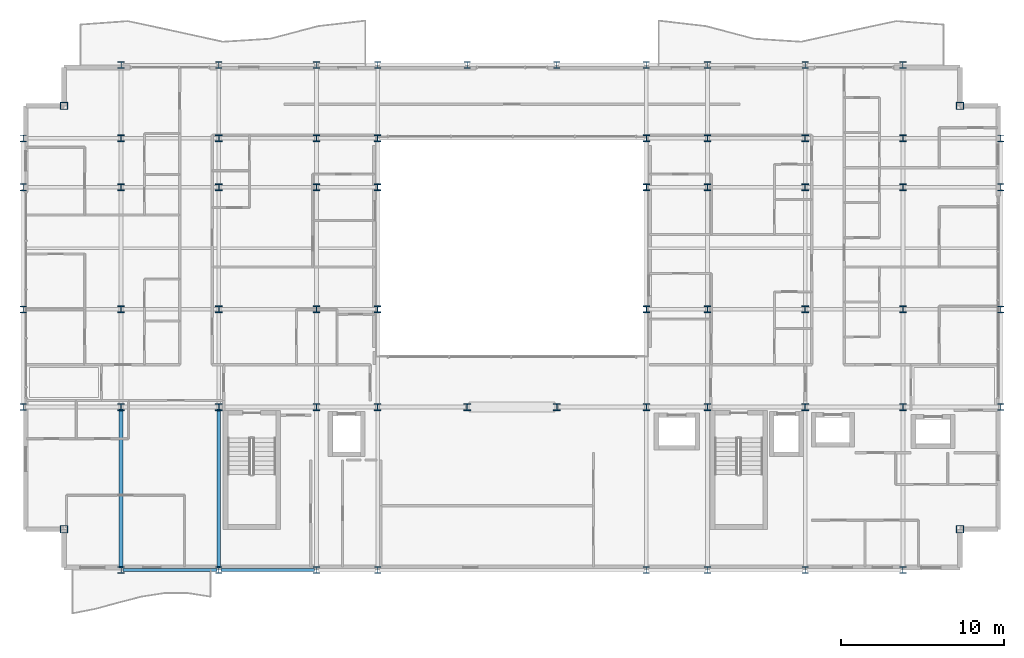
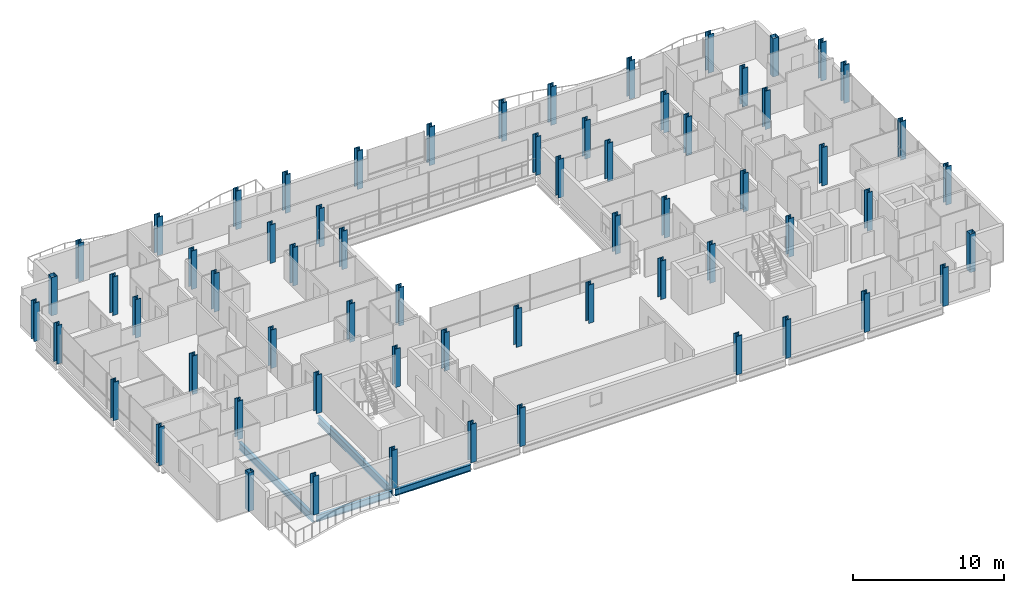
# One storey, part 1 of 40: 64 columns, 4 beams.
"""IFC4 building model written with IfcOpenShell, lengths in metres."""

from ifc_helpers import new_model, si_unit, direction, frame, origin, origin_2d, place, context, subcontext, project, spatial, hollow_rectangle, i_section, extrude, material, material_profile, profile_set, type_object, element, save


model = new_model("IFC4")

# Units and contexts
model_context = context("Model", 3, precision=1e-05, world=origin(), true_north=direction((0.0, 1.0)))
body_context = subcontext(model_context, "Body", "Model", "MODEL_VIEW")
ifc_project = project(units=[si_unit("LENGTHUNIT", "METRE"), si_unit("AREAUNIT", "SQUARE_METRE"), si_unit("VOLUMEUNIT", "CUBIC_METRE"), si_unit("PLANEANGLEUNIT", "RADIAN"), si_unit("MASSUNIT", "GRAM", prefix="KILO")], contexts=[model_context])

# Site, building, storey
site_placement = place(None, origin())
site = spatial("IfcSite", under=ifc_project, at=site_placement, CompositionType="ELEMENT")
building_placement = place(site_placement, origin())
building = spatial("IfcBuilding", under=site, at=building_placement, Name="Brevholm Reach", CompositionType="ELEMENT")
storey_placement = place(building_placement, frame((0.0, 0.0, 125.199951171875)))
storey = spatial("IfcBuildingStorey", under=building, at=storey_placement, Name="L37", CompositionType="ELEMENT", Elevation=125.199951171875)

# Columns
ifc_material_1 = material(Name="Structural Steel S460NH", Category="steel")
ifc_material_profile_1 = material_profile(ifc_material_1, hollow_rectangle(XDim=0.449951171875, YDim=0.449951171875, WallThickness=0.02490234375, InnerFilletRadius=0.011962890625, OuterFilletRadius=0.02392578125, at=origin_2d()), Name="SHS 450x450x25")
ifc_profile_set_1 = profile_set([ifc_material_profile_1], Name="Structural Steel S460NH")
column_type_1 = type_object("IfcColumnType", Name="COL-SHS1", PredefinedType="COLUMN", material=ifc_profile_set_1)
for number, where, z_axis, x_axis, name in (
    (1, (2.5, 2.5, 0.0), (0.0, 0.0, 1.0), (1.0, 0.0, 0.0), "L37 Column 05"),
    (2, (2.5, 28.5, 0.0), (0.0, 0.0, 1.0), (1.0, 0.0, 0.0), "L37 Column 06"),
    (3, (57.5, 2.5, 0.0), (0.0, 0.0, 1.0), (1.0, 0.0, 0.0), "L37 Column 59"),
    (4, (57.5, 28.5, 0.0), (0.0, 0.0, 1.0), (1.0, 0.0, 0.0), "L37 Column 60"),
):
    element("IfcColumn", number, at=place(storey_placement, frame(where, z_axis=z_axis, x_axis=x_axis)), inside=storey, type_object=column_type_1, Name=name, PredefinedType="COLUMN", context=body_context, shape_type="SweptSolid", body=[
        extrude(hollow_rectangle(XDim=0.449951171875, YDim=0.449951171875, WallThickness=0.02490234375, InnerFilletRadius=0.011962890625, OuterFilletRadius=0.02392578125, at=origin_2d()), origin(), (0.0, 0.0, 1.0), 3.10009765625),
    ])
ifc_material_2 = material(Name="Structural Steel S460ML", Category="steel")
ifc_material_profile_2 = material_profile(ifc_material_2, i_section(OverallWidth=0.412109375, OverallDepth=0.4365234375, WebThickness=0.035888671875, FlangeThickness=0.05810546875, FilletRadius=0.01513671875, at=origin_2d()), Name="UKC 356x406x467")
ifc_profile_set_2 = profile_set([ifc_material_profile_2], Name="Structural Steel S460ML")
column_type_2 = type_object("IfcColumnType", Name="COL-UC3", PredefinedType="COLUMN", material=ifc_profile_set_2)
for number, where, z_axis, x_axis, name in (
    (5, (0.0, 10.0, 0.0), (0.0, 0.0, 1.0), (1.0, 0.0, 0.0), "L37 Column 01"),
    (6, (0.0, 16.0, 0.0), (0.0, 0.0, 1.0), (1.0, 0.0, 0.0), "L37 Column 02"),
    (7, (0.0, 23.5, 0.0), (0.0, 0.0, 1.0), (1.0, 0.0, 0.0), "L37 Column 03"),
    (8, (0.0, 26.5, 0.0), (0.0, 0.0, 1.0), (1.0, 0.0, 0.0), "L37 Column 04"),
    (9, (6.0, 0.0, 0.0), (0.0, 0.0, 1.0), (1.0, 0.0, 0.0), "L37 Column 07"),
    (10, (6.0, 31.0, 0.0), (0.0, 0.0, 1.0), (1.0, 0.0, 0.0), "L37 Column 12"),
    (11, (12.0, 0.0, 0.0), (0.0, 0.0, 1.0), (1.0, 0.0, 0.0), "L37 Column 13"),
    (12, (12.0, 31.0, 0.0), (0.0, 0.0, 1.0), (1.0, 0.0, 0.0), "L37 Column 18"),
    (13, (18.0, 0.0, 0.0), (0.0, 0.0, 1.0), (1.0, 0.0, 0.0), "L37 Column 19"),
    (14, (18.0, 31.0, 0.0), (0.0, 0.0, 1.0), (1.0, 0.0, 0.0), "L37 Column 24"),
    (15, (21.75, 0.0, 0.0), (0.0, 0.0, 1.0), (1.0, 0.0, 0.0), "L37 Column 25"),
    (16, (21.75, 31.0, 0.0), (0.0, 0.0, 1.0), (1.0, 0.0, 0.0), "L37 Column 30"),
    (17, (27.25, 31.0, 0.0), (0.0, 0.0, 1.0), (1.0, 0.0, 0.0), "L37 Column 32"),
    (18, (32.75, 31.0, 0.0), (0.0, 0.0, 1.0), (1.0, 0.0, 0.0), "L37 Column 34"),
    (19, (38.25, 0.0, 0.0), (0.0, 0.0, 1.0), (1.0, 0.0, 0.0), "L37 Column 35"),
    (20, (38.25, 31.0, 0.0), (0.0, 0.0, 1.0), (1.0, 0.0, 0.0), "L37 Column 40"),
    (21, (42.0, 0.0, 0.0), (0.0, 0.0, 1.0), (1.0, 0.0, 0.0), "L37 Column 41"),
    (22, (42.0, 31.0, 0.0), (0.0, 0.0, 1.0), (1.0, 0.0, 0.0), "L37 Column 46"),
    (23, (48.0, 0.0, 0.0), (0.0, 0.0, 1.0), (1.0, 0.0, 0.0), "L37 Column 47"),
    (24, (48.0, 31.0, 0.0), (0.0, 0.0, 1.0), (1.0, 0.0, 0.0), "L37 Column 52"),
    (25, (54.0, 0.0, 0.0), (0.0, 0.0, 1.0), (1.0, 0.0, 0.0), "L37 Column 53"),
    (26, (54.0, 31.0, 0.0), (0.0, 0.0, 1.0), (1.0, 0.0, 0.0), "L37 Column 58"),
    (27, (60.0, 10.0, 0.0), (0.0, 0.0, 1.0), (1.0, 0.0, 0.0), "L37 Column 61"),
    (28, (60.0, 16.0, 0.0), (0.0, 0.0, 1.0), (1.0, 0.0, 0.0), "L37 Column 62"),
    (29, (60.0, 23.5, 0.0), (0.0, 0.0, 1.0), (1.0, 0.0, 0.0), "L37 Column 63"),
    (30, (60.0, 26.5, 0.0), (0.0, 0.0, 1.0), (1.0, 0.0, 0.0), "L37 Column 64"),
):
    element("IfcColumn", number, at=place(storey_placement, frame(where, z_axis=z_axis, x_axis=x_axis)), inside=storey, type_object=column_type_2, Name=name, PredefinedType="COLUMN", context=body_context, shape_type="SweptSolid", body=[
        extrude(i_section(OverallWidth=0.412109375, OverallDepth=0.4365234375, WebThickness=0.035888671875, FlangeThickness=0.05810546875, FilletRadius=0.01513671875, at=origin_2d()), origin(), (0.0, 0.0, 1.0), 3.10009765625),
    ])
ifc_material_3 = material(Name="Structural Steel S355J2", Category="steel")
ifc_material_profile_3 = material_profile(ifc_material_3, i_section(OverallWidth=0.406982421875, OverallDepth=0.4189453125, WebThickness=0.030517578125, FlangeThickness=0.04931640625, FilletRadius=0.01513671875, at=origin_2d()), Name="UKC 356x406x393")
ifc_profile_set_3 = profile_set([ifc_material_profile_3], Name="Structural Steel S355J2")
column_type_3 = type_object("IfcColumnType", Name="COL-UC4", PredefinedType="COLUMN", material=ifc_profile_set_3)
for number, where, z_axis, x_axis, name in (
    (31, (6.0, 10.0, 0.0), (0.0, 0.0, 1.0), (1.0, 0.0, 0.0), "L37 Column 08"),
    (32, (6.0, 16.0, 0.0), (0.0, 0.0, 1.0), (1.0, 0.0, 0.0), "L37 Column 09"),
    (33, (6.0, 23.5, 0.0), (0.0, 0.0, 1.0), (1.0, 0.0, 0.0), "L37 Column 10"),
    (34, (6.0, 26.5, 0.0), (0.0, 0.0, 1.0), (1.0, 0.0, 0.0), "L37 Column 11"),
    (35, (12.0, 10.0, 0.0), (0.0, 0.0, 1.0), (1.0, 0.0, 0.0), "L37 Column 14"),
    (36, (12.0, 16.0, 0.0), (0.0, 0.0, 1.0), (1.0, 0.0, 0.0), "L37 Column 15"),
    (37, (12.0, 23.5, 0.0), (0.0, 0.0, 1.0), (1.0, 0.0, 0.0), "L37 Column 16"),
    (38, (12.0, 26.5, 0.0), (0.0, 0.0, 1.0), (1.0, 0.0, 0.0), "L37 Column 17"),
    (39, (18.0, 10.0, 0.0), (0.0, 0.0, 1.0), (1.0, 0.0, 0.0), "L37 Column 20"),
    (40, (18.0, 16.0, 0.0), (0.0, 0.0, 1.0), (1.0, 0.0, 0.0), "L37 Column 21"),
    (41, (18.0, 23.5, 0.0), (0.0, 0.0, 1.0), (1.0, 0.0, 0.0), "L37 Column 22"),
    (42, (18.0, 26.5, 0.0), (0.0, 0.0, 1.0), (1.0, 0.0, 0.0), "L37 Column 23"),
    (43, (21.75, 10.0, 0.0), (0.0, 0.0, 1.0), (1.0, 0.0, 0.0), "L37 Column 26"),
    (44, (21.75, 16.0, 0.0), (0.0, 0.0, 1.0), (1.0, 0.0, 0.0), "L37 Column 27"),
    (45, (21.75, 23.5, 0.0), (0.0, 0.0, 1.0), (1.0, 0.0, 0.0), "L37 Column 28"),
    (46, (21.75, 26.5, 0.0), (0.0, 0.0, 1.0), (1.0, 0.0, 0.0), "L37 Column 29"),
    (47, (27.25, 10.0, 0.0), (0.0, 0.0, 1.0), (1.0, 0.0, 0.0), "L37 Column 31"),
    (48, (32.75, 10.0, 0.0), (0.0, 0.0, 1.0), (1.0, 0.0, 0.0), "L37 Column 33"),
    (49, (38.25, 10.0, 0.0), (0.0, 0.0, 1.0), (1.0, 0.0, 0.0), "L37 Column 36"),
    (50, (38.25, 16.0, 0.0), (0.0, 0.0, 1.0), (1.0, 0.0, 0.0), "L37 Column 37"),
    (51, (38.25, 23.5, 0.0), (0.0, 0.0, 1.0), (1.0, 0.0, 0.0), "L37 Column 38"),
    (52, (38.25, 26.5, 0.0), (0.0, 0.0, 1.0), (1.0, 0.0, 0.0), "L37 Column 39"),
    (53, (42.0, 10.0, 0.0), (0.0, 0.0, 1.0), (1.0, 0.0, 0.0), "L37 Column 42"),
    (54, (42.0, 16.0, 0.0), (0.0, 0.0, 1.0), (1.0, 0.0, 0.0), "L37 Column 43"),
    (55, (42.0, 23.5, 0.0), (0.0, 0.0, 1.0), (1.0, 0.0, 0.0), "L37 Column 44"),
    (56, (42.0, 26.5, 0.0), (0.0, 0.0, 1.0), (1.0, 0.0, 0.0), "L37 Column 45"),
    (57, (48.0, 10.0, 0.0), (0.0, 0.0, 1.0), (1.0, 0.0, 0.0), "L37 Column 48"),
    (58, (48.0, 16.0, 0.0), (0.0, 0.0, 1.0), (1.0, 0.0, 0.0), "L37 Column 49"),
    (59, (48.0, 23.5, 0.0), (0.0, 0.0, 1.0), (1.0, 0.0, 0.0), "L37 Column 50"),
    (60, (48.0, 26.5, 0.0), (0.0, 0.0, 1.0), (1.0, 0.0, 0.0), "L37 Column 51"),
    (61, (54.0, 10.0, 0.0), (0.0, 0.0, 1.0), (1.0, 0.0, 0.0), "L37 Column 54"),
    (62, (54.0, 16.0, 0.0), (0.0, 0.0, 1.0), (1.0, 0.0, 0.0), "L37 Column 55"),
    (63, (54.0, 23.5, 0.0), (0.0, 0.0, 1.0), (1.0, 0.0, 0.0), "L37 Column 56"),
    (64, (54.0, 26.5, 0.0), (0.0, 0.0, 1.0), (1.0, 0.0, 0.0), "L37 Column 57"),
):
    element("IfcColumn", number, at=place(storey_placement, frame(where, z_axis=z_axis, x_axis=x_axis)), inside=storey, type_object=column_type_3, Name=name, PredefinedType="COLUMN", context=body_context, shape_type="SweptSolid", body=[
        extrude(i_section(OverallWidth=0.406982421875, OverallDepth=0.4189453125, WebThickness=0.030517578125, FlangeThickness=0.04931640625, FilletRadius=0.01513671875, at=origin_2d()), origin(), (0.0, 0.0, 1.0), 3.10009765625),
    ])

# Beams
ifc_material_4 = material(Name="Structural Steel S355J2", Category="steel")
ifc_material_profile_4 = material_profile(ifc_material_4, i_section(OverallWidth=0.209228515625, OverallDepth=0.533203125, WebThickness=0.010009765625, FlangeThickness=0.015625, FilletRadius=0.0126953125, at=origin_2d()), Name="UKB 533x210x92")
ifc_profile_set_4 = profile_set([ifc_material_profile_4], Name="Structural Steel S355J2")
beam_type_1 = type_object("IfcBeamType", Name="BM-SP533", PredefinedType="SPANDREL", material=ifc_profile_set_4)
for number, where, z_axis, x_axis, name in (
    (65, (6.1201171875, 0.0, -0.486572265625), (1.0, 0.0, 0.0), (0.0, 1.0, 0.0), "L37 SP-02 Framing Beam"),
    (66, (12.1201171875, 0.0, -0.486572265625), (1.0, 0.0, 0.0), (0.0, 1.0, 0.0), "L37 SP-02 Framing Beam"),
):
    element("IfcBeam", number, at=place(storey_placement, frame(where, z_axis=z_axis, x_axis=x_axis)), inside=storey, type_object=beam_type_1, Name=name, PredefinedType="SPANDREL", context=body_context, shape_type="SweptSolid", body=[
        extrude(i_section(OverallWidth=0.209228515625, OverallDepth=0.533203125, WebThickness=0.010009765625, FlangeThickness=0.015625, FilletRadius=0.0126953125, at=origin_2d()), origin(), (0.0, 0.0, 1.0), 5.759765625),
    ])
ifc_material_5 = material(Name="Structural Steel S355J2", Category="steel")
ifc_material_profile_5 = material_profile(ifc_material_5, i_section(OverallWidth=0.22900390625, OverallDepth=0.6123046875, WebThickness=0.011962890625, FlangeThickness=0.01953125, FilletRadius=0.0126953125, at=origin_2d()), Name="UKB 610x229x125")
ifc_profile_set_5 = profile_set([ifc_material_profile_5], Name="Structural Steel S355J2")
beam_type_2 = type_object("IfcBeamType", Name="BM-SP610", PredefinedType="SPANDREL", material=ifc_profile_set_5)
for number, where, z_axis, x_axis, name in (
    (67, (6.0, 0.1201171875, -0.526123046875), (0.0, 1.0, 0.0), (-1.0, 0.0, 0.0), "L37 SP-01 Framing Beam"),
    (68, (12.0, 0.1201171875, -0.526123046875), (0.0, 1.0, 0.0), (-1.0, 0.0, 0.0), "L37 SP-01 Framing Beam"),
):
    element("IfcBeam", number, at=place(storey_placement, frame(where, z_axis=z_axis, x_axis=x_axis)), inside=storey, type_object=beam_type_2, Name=name, PredefinedType="SPANDREL", context=body_context, shape_type="SweptSolid", body=[
        extrude(i_section(OverallWidth=0.22900390625, OverallDepth=0.6123046875, WebThickness=0.011962890625, FlangeThickness=0.01953125, FilletRadius=0.0126953125, at=origin_2d()), origin(), (0.0, 0.0, 1.0), 9.759765625),
    ])

save(model, "model.ifc")
